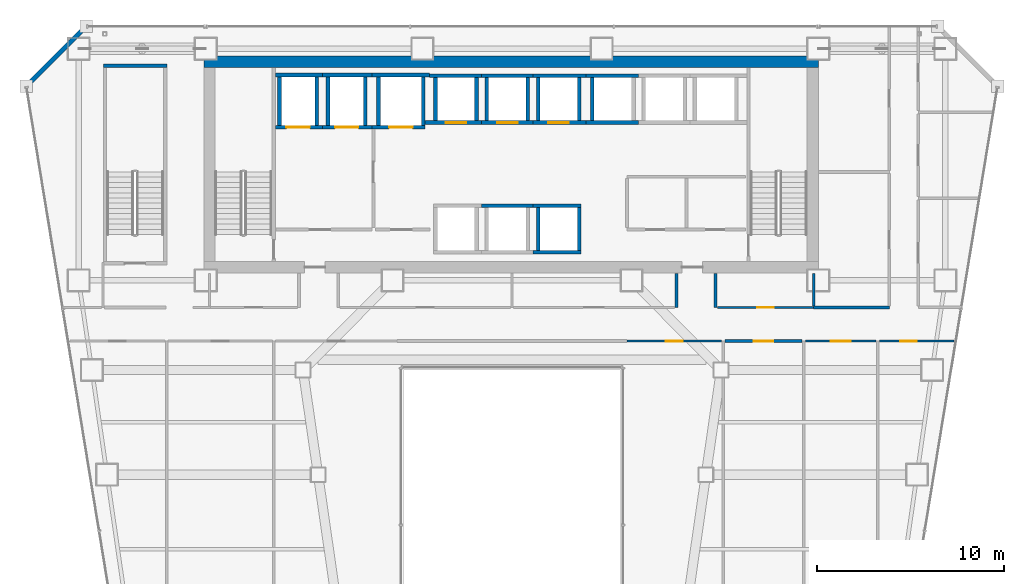
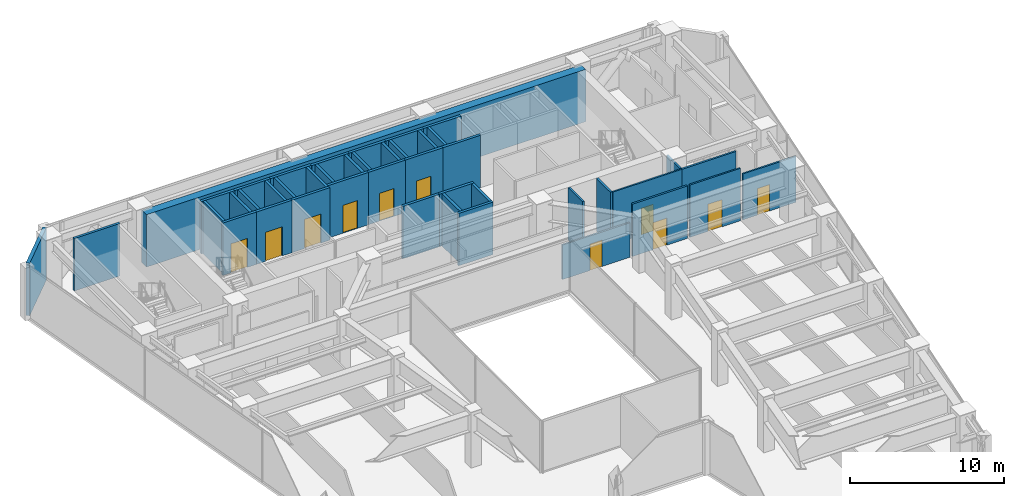
# One storey, part 36 of 40: 44 walls, 11 doors, 11 openings.
"""IFC4 building model written with IfcOpenShell, lengths in metres."""

from ifc_helpers import new_model, si_unit, direction, frame, frame_2d, origin, place, context, subcontext, project, spatial, rectangle, extrude, material, layer, layer_set, type_object, element, fill, save


model = new_model("IFC4")

# Units and contexts
model_context = context("Model", 3, precision=1e-05, world=origin(), true_north=direction((0.0, 1.0)))
body_context = subcontext(model_context, "Body", "Model", "MODEL_VIEW")
ifc_project = project(units=[si_unit("LENGTHUNIT", "METRE"), si_unit("AREAUNIT", "SQUARE_METRE"), si_unit("VOLUMEUNIT", "CUBIC_METRE"), si_unit("PLANEANGLEUNIT", "RADIAN"), si_unit("MASSUNIT", "GRAM", prefix="KILO")], contexts=[model_context])

# Site, building, storey
site_placement = place(None, origin())
site = spatial("IfcSite", under=ifc_project, at=site_placement, CompositionType="ELEMENT")
building_placement = place(site_placement, origin())
building = spatial("IfcBuilding", under=site, at=building_placement, Name="Saevonmaru Cultural Tower", CompositionType="ELEMENT")
storey_placement = place(building_placement, frame((0.0, 0.0, 97.199951171875)))
storey = spatial("IfcBuildingStorey", under=building, at=storey_placement, Name="L20", CompositionType="ELEMENT", Elevation=97.199951171875)

# Walls
ifc_material_1 = material(Name="Concrete C60/75", Category="concrete")
ifc_layer_1 = layer(ifc_material_1, 0.60009765625, Name="Concrete C60/75")
ifc_layer_set_1 = layer_set([ifc_layer_1], Name="Concrete C60/75")
wall_type_1 = type_object("IfcWallType", Name="WL-CORE-600", PredefinedType="SHEAR", material=ifc_layer_set_1)
wall_1_placement = place(storey_placement, frame((13.5, 54.10009765625, 0.0), z_axis=(0.0, 0.0, 1.0), x_axis=(1.0, 0.0, 0.0)))
element("IfcWall", 1, at=wall_1_placement, inside=storey, type_object=wall_type_1, Name="L20 Tower RC core shear wall N", PredefinedType="SHEAR", context=body_context, shape_type="SweptSolid", body=[
    extrude(rectangle(XDim=32.89990234375, YDim=0.60009765625, at=frame_2d((16.449951171875, 0.0))), origin(), (0.0, 0.0, 1.0), 4.150146484375),
])
ifc_material_2 = material(Name="Granite-Clad Precast Concrete C40/50", Category="masonry")
ifc_layer_2 = layer(ifc_material_2, 0.260009765625, Name="Granite-Clad Precast Concrete C40/50")
ifc_layer_set_2 = layer_set([ifc_layer_2], Name="Granite-Clad Precast Concrete C40/50")
wall_type_2 = type_object("IfcWallType", Name="WL-EXT-SPANDREL-260", PredefinedType="STANDARD", material=ifc_layer_set_2)
wall_2_placement = place(storey_placement, frame((7.0869140625, 55.886962890625, 0.0), z_axis=(0.0, 0.0, 1.0), x_axis=(-0.707106781187, -0.707106781187, 0.0)))
element("IfcWall", 2, at=wall_2_placement, inside=storey, type_object=wall_type_2, Name="L20 Chamfer Corner Spandrel Wall E11", PredefinedType="STANDARD", context=body_context, shape_type="SweptSolid", body=[
    extrude(rectangle(XDim=4.205810546875, YDim=0.260009765625, at=frame_2d((2.10302734375, 0.0))), origin(), (0.0, 0.0, 1.0), 4.150146484375),
])
ifc_material_3 = material(Name="Gypsum Fireboard Partition", Category="gypsum")
ifc_layer_3 = layer(ifc_material_3, 0.14990234375, Name="Gypsum Fireboard Partition")
ifc_layer_set_3 = layer_set([ifc_layer_3], Name="Gypsum Fireboard Partition")
wall_type_3 = type_object("IfcWallType", Name="WL-PART-FIRE-150", PredefinedType="PARTITIONING", material=ifc_layer_set_3)
for number, where, z_axis, x_axis, name in (
    (3, (38.800048828125, 40.949951171875, 0.0), (0.0, 0.0, 1.0), (0.0, 1.0, 0.0), "L20 Core Portal Side Wall E1"),
    (4, (40.89990234375, 40.949951171875, 0.0), (0.0, 0.0, 1.0), (0.0, 1.0, 0.0), "L20 Core Portal Side Wall E2"),
):
    element("IfcWall", number, at=place(storey_placement, frame(where, z_axis=z_axis, x_axis=x_axis)), inside=storey, type_object=wall_type_3, Name=name, PredefinedType="PARTITIONING", context=body_context, shape_type="SweptSolid", body=[
        extrude(rectangle(XDim=1.830078125, YDim=0.14990234375, at=frame_2d((0.9150390625, 0.0))), origin(), (0.0, 0.0, 1.0), 4.150146484375),
    ])

# Wall, opening, door
wall_3_placement = place(storey_placement, frame((41.3974609375, 39.14990234375, 0.0), z_axis=(0.0, 0.0, 1.0), x_axis=(1.0, 0.0, 0.0)))
wall_3 = element("IfcWall", 5, at=wall_3_placement, inside=storey, type_object=wall_type_3, Name="L20 East Asian Ceramics Gallery Corridor Wall", PredefinedType="PARTITIONING", context=body_context, shape_type="SweptSolid", body=[
    extrude(rectangle(XDim=4.135009765625, YDim=0.14990234375, at=frame_2d((2.0673828125, 0.0))), origin(), (0.0, 0.0, 1.0), 4.150146484375),
])
opening_1_placement = place(wall_3_placement, frame((1.5419921875, 0.0, 0.0)))
opening_1 = element("IfcOpeningElement", 6, at=opening_1_placement, cuts=wall_3, Name="Opening ID-1", PredefinedType="OPENING", context=body_context, shape_type="SweptSolid", body=[
    extrude(rectangle(XDim=1.050048828125, YDim=2.14990234375, at=frame_2d((0.52490234375, 1.074951171875))), frame((0.0, 0.0849609375, 0.0), z_axis=(0.0, -1.0, 0.0), x_axis=(1.0, 0.0, 0.0)), (0.0, 0.0, 1.0), 0.169921875),
])
ifc_material_4 = material(Name="Satin Bronze Anodised Aluminium", Category="aluminium")
door_type_1 = type_object("IfcDoorType", Name="DR-INT-1050", OperationType="SINGLE_SWING_LEFT", PredefinedType="DOOR", material=ifc_material_4)
door_1_placement = place(opening_1_placement, origin())
door_1 = element("IfcDoor", 7, at=door_1_placement, inside=storey, type_object=door_type_1, Name="L20 East Asian Ceramics Gallery Door", OperationType="SINGLE_SWING_LEFT", OverallHeight=2.14990234375, OverallWidth=1.050048828125, PredefinedType="DOOR", context=body_context, shape_type="SweptSolid", body=[
    extrude(rectangle(XDim=1.050048828125, YDim=2.14990234375, at=frame_2d((0.52490234375, 1.074951171875))), frame((0.0, 0.02490234375, 0.0), z_axis=(0.0, -1.0, 0.0), x_axis=(1.0, 0.0, 0.0)), (0.0, 0.0, 1.0), 0.050048828125),
])
fill(opening_1, door_1)

ifc_layer_4 = layer(ifc_material_3, 0.1201171875, Name="Gypsum Fireboard Partition")
ifc_layer_set_4 = layer_set([ifc_layer_4], Name="Gypsum Fireboard Partition")
wall_type_4 = type_object("IfcWallType", Name="WL-PART-GYP-120", PredefinedType="PARTITIONING", material=ifc_layer_set_4)
wall_4_placement = place(storey_placement, frame((40.9951171875, 40.949951171875, 0.0), z_axis=(0.0, 0.0, 1.0), x_axis=(1.0, 0.0, 0.0)))
wall_4 = element("IfcWall", 8, at=wall_4_placement, inside=storey, type_object=wall_type_4, Name="L20 Literature Seminar Meeting Room Corridor Wall", PredefinedType="PARTITIONING", context=body_context, shape_type="SweptSolid", body=[
    extrude(rectangle(XDim=5.15478515625, YDim=0.1201171875, at=frame_2d((2.577392578125, 0.0))), origin(), (0.0, 0.0, 1.0), 4.150146484375),
])
opening_2_placement = place(wall_4_placement, frame((2.1279296875, 0.0, 0.0)))
opening_2 = element("IfcOpeningElement", 9, at=opening_2_placement, cuts=wall_4, Name="Opening ID-2", PredefinedType="OPENING", context=body_context, shape_type="SweptSolid", body=[
    extrude(rectangle(XDim=0.89990234375, YDim=2.10009765625, at=frame_2d((0.449951171875, 1.050048828125))), frame((0.0, 0.070068359375, 0.0), z_axis=(0.0, -1.0, 0.0), x_axis=(1.0, 0.0, 0.0)), (0.0, 0.0, 1.0), 0.14013671875),
])
ifc_material_5 = material(Name="Acoustic Stained Oak Timber", Category="wood")
door_type_2 = type_object("IfcDoorType", Name="DR-INT-900", OperationType="SINGLE_SWING_RIGHT", PredefinedType="DOOR", material=ifc_material_5)
door_2_placement = place(opening_2_placement, origin())
door_2 = element("IfcDoor", 10, at=door_2_placement, inside=storey, type_object=door_type_2, Name="L20 Literature Seminar Meeting Room Door", OperationType="SINGLE_SWING_RIGHT", OverallHeight=2.10009765625, OverallWidth=0.89990234375, PredefinedType="DOOR", context=body_context, shape_type="SweptSolid", body=[
    extrude(rectangle(XDim=0.89990234375, YDim=2.10009765625, at=frame_2d((0.449951171875, 1.050048828125))), frame((0.0, 0.02490234375, 0.0), z_axis=(0.0, -1.0, 0.0), x_axis=(1.0, 0.0, 0.0)), (0.0, 0.0, 1.0), 0.050048828125),
])
fill(opening_2, door_2)

wall_5_placement = place(storey_placement, frame((36.14990234375, 39.14990234375, 0.0), z_axis=(0.0, 0.0, 1.0), x_axis=(1.0, 0.0, 0.0)))
wall_5 = element("IfcWall", 11, at=wall_5_placement, inside=storey, type_object=wall_type_4, Name="L20 Literature Seminar Meeting Room Corridor Wall", PredefinedType="PARTITIONING", context=body_context, shape_type="SweptSolid", body=[
    extrude(rectangle(XDim=5.072509765625, YDim=0.1201171875, at=frame_2d((2.5361328125, 0.0))), origin(), (0.0, 0.0, 1.0), 2.735107421875),
])
opening_3_placement = place(wall_5_placement, frame((2.0859375, 0.0, 0.0)))
opening_3 = element("IfcOpeningElement", 12, at=opening_3_placement, cuts=wall_5, Name="Opening ID-2", PredefinedType="OPENING", context=body_context, shape_type="SweptSolid", body=[
    extrude(rectangle(XDim=0.89990234375, YDim=2.10009765625, at=frame_2d((0.449951171875, 1.050048828125))), frame((0.0, 0.070068359375, 0.0), z_axis=(0.0, -1.0, 0.0), x_axis=(1.0, 0.0, 0.0)), (0.0, 0.0, 1.0), 0.14013671875),
])
door_3_placement = place(opening_3_placement, origin())
door_3 = element("IfcDoor", 13, at=door_3_placement, inside=storey, type_object=door_type_2, Name="L20 Literature Seminar Meeting Room Door", OperationType="SINGLE_SWING_RIGHT", OverallHeight=2.10009765625, OverallWidth=0.89990234375, PredefinedType="DOOR", context=body_context, shape_type="SweptSolid", body=[
    extrude(rectangle(XDim=0.89990234375, YDim=2.10009765625, at=frame_2d((0.449951171875, 1.050048828125))), frame((0.0, 0.02490234375, 0.0), z_axis=(0.0, -1.0, 0.0), x_axis=(1.0, 0.0, 0.0)), (0.0, 0.0, 1.0), 0.050048828125),
])
fill(opening_3, door_3)

wall_6_placement = place(storey_placement, frame((45.70751953125, 39.14990234375, 0.0), z_axis=(0.0, 0.0, 1.0), x_axis=(1.0, 0.0, 0.0)))
wall_6 = element("IfcWall", 14, at=wall_6_placement, inside=storey, type_object=wall_type_4, Name="L20 Rare Folio Reading Room Corridor Wall", PredefinedType="PARTITIONING", context=body_context, shape_type="SweptSolid", body=[
    extrude(rectangle(XDim=3.784912109375, YDim=0.1201171875, at=frame_2d((1.892578125, 0.0))), origin(), (0.0, 0.0, 1.0), 4.150146484375),
])
opening_4_placement = place(wall_6_placement, frame((1.366943359375, 0.0, 0.0)))
opening_4 = element("IfcOpeningElement", 15, at=opening_4_placement, cuts=wall_6, Name="Opening ID-1", PredefinedType="OPENING", context=body_context, shape_type="SweptSolid", body=[
    extrude(rectangle(XDim=1.050048828125, YDim=2.14990234375, at=frame_2d((0.52490234375, 1.074951171875))), frame((0.0, 0.070068359375, 0.0), z_axis=(0.0, -1.0, 0.0), x_axis=(1.0, 0.0, 0.0)), (0.0, 0.0, 1.0), 0.14013671875),
])
door_4_placement = place(opening_4_placement, origin())
door_4 = element("IfcDoor", 16, at=door_4_placement, inside=storey, type_object=door_type_1, Name="L20 Rare Folio Reading Room Door", OperationType="SINGLE_SWING_RIGHT", OverallHeight=2.14990234375, OverallWidth=1.050048828125, PredefinedType="DOOR", context=body_context, shape_type="SweptSolid", body=[
    extrude(rectangle(XDim=1.050048828125, YDim=2.14990234375, at=frame_2d((0.52490234375, 1.074951171875))), frame((0.0, 0.02490234375, 0.0), z_axis=(0.0, -1.0, 0.0), x_axis=(1.0, 0.0, 0.0)), (0.0, 0.0, 1.0), 0.050048828125),
])
fill(opening_4, door_4)

wall_7_placement = place(storey_placement, frame((49.66748046875, 39.14990234375, 0.0), z_axis=(0.0, 0.0, 1.0), x_axis=(1.0, 0.0, 0.0)))
wall_7 = element("IfcWall", 17, at=wall_7_placement, inside=storey, type_object=wall_type_4, Name="L20 Translation Research Office Corridor Wall", PredefinedType="PARTITIONING", context=body_context, shape_type="SweptSolid", body=[
    extrude(rectangle(XDim=3.99853515625, YDim=0.1201171875, at=frame_2d((1.999267578125, 0.0))), origin(), (0.0, 0.0, 1.0), 3.635009765625),
])
opening_5_placement = place(wall_7_placement, frame((1.10888671875, 0.0, 0.0)))
opening_5 = element("IfcOpeningElement", 18, at=opening_5_placement, cuts=wall_7, Name="Opening ID-2", PredefinedType="OPENING", context=body_context, shape_type="SweptSolid", body=[
    extrude(rectangle(XDim=0.89990234375, YDim=2.10009765625, at=frame_2d((0.449951171875, 1.050048828125))), frame((0.0, 0.070068359375, 0.0), z_axis=(0.0, -1.0, 0.0), x_axis=(1.0, 0.0, 0.0)), (0.0, 0.0, 1.0), 0.14013671875),
])
door_5_placement = place(opening_5_placement, origin())
door_5 = element("IfcDoor", 19, at=door_5_placement, inside=storey, type_object=door_type_2, Name="L20 Translation Research Office Door", OperationType="SINGLE_SWING_LEFT", OverallHeight=2.10009765625, OverallWidth=0.89990234375, PredefinedType="DOOR", context=body_context, shape_type="SweptSolid", body=[
    extrude(rectangle(XDim=0.89990234375, YDim=2.10009765625, at=frame_2d((0.449951171875, 1.050048828125))), frame((0.0, 0.02490234375, 0.0), z_axis=(0.0, -1.0, 0.0), x_axis=(1.0, 0.0, 0.0)), (0.0, 0.0, 1.0), 0.050048828125),
])
fill(opening_5, door_5)

# Walls
ifc_layer_5 = layer(ifc_material_3, 0.139892578125, Name="Gypsum Fireboard Partition")
ifc_layer_set_5 = layer_set([ifc_layer_5], Name="Gypsum Fireboard Partition")
wall_type_5 = type_object("IfcWallType", Name="WL-PART-WET-140", PredefinedType="PARTITIONING", material=ifc_layer_set_5)
wall_8_placement = place(storey_placement, frame((46.14990234375, 40.949951171875, 0.0), z_axis=(0.0, 0.0, 1.0), x_axis=(1.0, 0.0, 0.0)))
element("IfcWall", 20, at=wall_8_placement, inside=storey, type_object=wall_type_5, Name="L20 Washroom South Wall", PredefinedType="PARTITIONING", context=body_context, shape_type="SweptSolid", body=[
    extrude(rectangle(XDim=4.050048828125, YDim=0.139892578125, at=frame_2d((2.02490234375, 0.0))), origin(), (0.0, 0.0, 1.0), 4.150146484375),
])
wall_9_placement = place(storey_placement, frame((46.14990234375, 41.0400390625, 0.0), z_axis=(0.0, 0.0, 1.0), x_axis=(0.0, 1.0, 0.0)))
element("IfcWall", 21, at=wall_9_placement, inside=storey, type_object=wall_type_5, Name="L20 Washroom South-West Return", PredefinedType="PARTITIONING", context=body_context, shape_type="SweptSolid", body=[
    extrude(rectangle(XDim=1.739990234375, YDim=0.139892578125, at=frame_2d((0.8701171875, 0.0))), origin(), (0.0, 0.0, 1.0), 4.150146484375),
])

# Wall, opening, door
ifc_material_6 = material(Name="Concrete C40/50", Category="concrete")
ifc_layer_6 = layer(ifc_material_6, 0.199951171875, Name="Concrete C40/50")
ifc_layer_set_6 = layer_set([ifc_layer_6], Name="Concrete C40/50")
wall_type_6 = type_object("IfcWallType", Name="WL-SHAFT-200", PredefinedType="SHEAR", material=ifc_layer_set_6)
wall_10_placement = place(storey_placement, frame((17.330078125, 50.60009765625, 0.0), z_axis=(0.0, 0.0, 1.0), x_axis=(1.0, 0.0, 0.0)))
wall_10 = element("IfcWall", 22, at=wall_10_placement, inside=storey, type_object=wall_type_6, Name="L20 Lift FFL-1 Hoistway Wall S", PredefinedType="SHEAR", context=body_context, shape_type="SweptSolid", body=[
    extrude(rectangle(XDim=2.52001953125, YDim=0.199951171875, at=frame_2d((1.260009765625, 0.0))), origin(), (0.0, 0.0, 1.0), 4.150146484375),
])
opening_6_placement = place(wall_10_placement, frame((0.594970703125, 0.0, 0.0)))
opening_6 = element("IfcOpeningElement", 23, at=opening_6_placement, cuts=wall_10, Name="Opening LD-2", PredefinedType="OPENING", context=body_context, shape_type="SweptSolid", body=[
    extrude(rectangle(XDim=1.25, YDim=2.300048828125, at=frame_2d((0.625, 1.14990234375))), frame((0.0, 0.10986328125, 0.0), z_axis=(0.0, -1.0, 0.0), x_axis=(1.0, 0.0, 0.0)), (0.0, 0.0, 1.0), 0.219970703125),
])
ifc_material_7 = material(Name="Stainless Steel 316", Category="steel")
door_type_3 = type_object("IfcDoorType", Name="DR-LIFT-1250", OperationType="SLIDING_TO_LEFT", PredefinedType="DOOR", material=ifc_material_7)
door_6_placement = place(opening_6_placement, origin())
door_6 = element("IfcDoor", 24, at=door_6_placement, inside=storey, type_object=door_type_3, Name="L20 Lift FFL-1 Sliding Landing Door", OperationType="SLIDING_TO_LEFT", OverallHeight=2.300048828125, OverallWidth=1.25, PredefinedType="DOOR", context=body_context, shape_type="SweptSolid", body=[
    extrude(rectangle(XDim=1.25, YDim=2.300048828125, at=frame_2d((0.625, 1.14990234375))), frame((0.0, 0.02490234375, 0.0), z_axis=(0.0, -1.0, 0.0), x_axis=(1.0, 0.0, 0.0)), (0.0, 0.0, 1.0), 0.050048828125),
])
fill(opening_6, door_6)

# Walls
wall_11_placement = place(storey_placement, frame((17.330078125, 53.39990234375, 0.0), z_axis=(0.0, 0.0, 1.0), x_axis=(1.0, 0.0, 0.0)))
element("IfcWall", 25, at=wall_11_placement, inside=storey, type_object=wall_type_6, Name="L20 Lift FFL-1 Hoistway Wall N", PredefinedType="SHEAR", context=body_context, shape_type="SweptSolid", body=[
    extrude(rectangle(XDim=2.52001953125, YDim=0.199951171875, at=frame_2d((1.260009765625, 0.0))), origin(), (0.0, 0.0, 1.0), 4.150146484375),
])
for number, where, z_axis, x_axis, name in (
    (26, (17.550048828125, 50.699951171875, 0.0), (0.0, 0.0, 1.0), (0.0, 1.0, 0.0), "L20 Lift FFL-1 Hoistway Wall W"),
    (27, (19.550048828125, 50.699951171875, 0.0), (0.0, 0.0, 1.0), (0.0, 1.0, 0.0), "L20 Lift FFL-1 Hoistway Wall E"),
):
    element("IfcWall", number, at=place(storey_placement, frame(where, z_axis=z_axis, x_axis=x_axis)), inside=storey, type_object=wall_type_6, Name=name, PredefinedType="SHEAR", context=body_context, shape_type="SweptSolid", body=[
        extrude(rectangle(XDim=2.60009765625, YDim=0.199951171875, at=frame_2d((1.300048828125, 0.0))), origin(), (0.0, 0.0, 1.0), 4.150146484375),
    ])

# Wall, opening, door
wall_12_placement = place(storey_placement, frame((19.85009765625, 50.60009765625, 0.0), z_axis=(0.0, 0.0, 1.0), x_axis=(1.0, 0.0, 0.0)))
wall_12 = element("IfcWall", 28, at=wall_12_placement, inside=storey, type_object=wall_type_6, Name="L20 Lift FFL-2 Hoistway Wall S", PredefinedType="SHEAR", context=body_context, shape_type="SweptSolid", body=[
    extrude(rectangle(XDim=2.64990234375, YDim=0.199951171875, at=frame_2d((1.324951171875, 0.0))), origin(), (0.0, 0.0, 1.0), 4.150146484375),
])
opening_7_placement = place(wall_12_placement, frame((0.675048828125, 0.0, 0.0)))
opening_7 = element("IfcOpeningElement", 29, at=opening_7_placement, cuts=wall_12, Name="Opening LD-2", PredefinedType="OPENING", context=body_context, shape_type="SweptSolid", body=[
    extrude(rectangle(XDim=1.25, YDim=2.300048828125, at=frame_2d((0.625, 1.14990234375))), frame((0.0, 0.10986328125, 0.0), z_axis=(0.0, -1.0, 0.0), x_axis=(1.0, 0.0, 0.0)), (0.0, 0.0, 1.0), 0.219970703125),
])
door_7_placement = place(opening_7_placement, origin())
door_7 = element("IfcDoor", 30, at=door_7_placement, inside=storey, type_object=door_type_3, Name="L20 Lift FFL-2 Sliding Landing Door", OperationType="SLIDING_TO_LEFT", OverallHeight=2.300048828125, OverallWidth=1.25, PredefinedType="DOOR", context=body_context, shape_type="SweptSolid", body=[
    extrude(rectangle(XDim=1.25, YDim=2.300048828125, at=frame_2d((0.625, 1.14990234375))), frame((0.0, 0.02490234375, 0.0), z_axis=(0.0, -1.0, 0.0), x_axis=(1.0, 0.0, 0.0)), (0.0, 0.0, 1.0), 0.050048828125),
])
fill(opening_7, door_7)

# Walls
wall_13_placement = place(storey_placement, frame((19.85009765625, 53.39990234375, 0.0), z_axis=(0.0, 0.0, 1.0), x_axis=(1.0, 0.0, 0.0)))
element("IfcWall", 31, at=wall_13_placement, inside=storey, type_object=wall_type_6, Name="L20 Lift FFL-2 Hoistway Wall N", PredefinedType="SHEAR", context=body_context, shape_type="SweptSolid", body=[
    extrude(rectangle(XDim=2.64990234375, YDim=0.199951171875, at=frame_2d((1.324951171875, 0.0))), origin(), (0.0, 0.0, 1.0), 4.150146484375),
])
for number, where, z_axis, x_axis, name in (
    (32, (20.14990234375, 50.699951171875, 0.0), (0.0, 0.0, 1.0), (0.0, 1.0, 0.0), "L20 Lift FFL-2 Hoistway Wall W"),
    (33, (22.14990234375, 50.699951171875, 0.0), (0.0, 0.0, 1.0), (0.0, 1.0, 0.0), "L20 Lift FFL-2 Hoistway Wall E"),
):
    element("IfcWall", number, at=place(storey_placement, frame(where, z_axis=z_axis, x_axis=x_axis)), inside=storey, type_object=wall_type_6, Name=name, PredefinedType="SHEAR", context=body_context, shape_type="SweptSolid", body=[
        extrude(rectangle(XDim=2.60009765625, YDim=0.199951171875, at=frame_2d((1.300048828125, 0.0))), origin(), (0.0, 0.0, 1.0), 4.150146484375),
    ])

# Wall, opening, door
wall_14_placement = place(storey_placement, frame((22.5, 50.60009765625, 0.0), z_axis=(0.0, 0.0, 1.0), x_axis=(1.0, 0.0, 0.0)))
wall_14 = element("IfcWall", 34, at=wall_14_placement, inside=storey, type_object=wall_type_6, Name="L20 Lift GL-1 Hoistway Wall S", PredefinedType="SHEAR", context=body_context, shape_type="SweptSolid", body=[
    extrude(rectangle(XDim=2.85009765625, YDim=0.199951171875, at=frame_2d((1.425048828125, 0.0))), origin(), (0.0, 0.0, 1.0), 4.150146484375),
])
opening_8_placement = place(wall_14_placement, frame((0.925048828125, 0.0, 0.0)))
opening_8 = element("IfcOpeningElement", 35, at=opening_8_placement, cuts=wall_14, Name="Opening LD-2", PredefinedType="OPENING", context=body_context, shape_type="SweptSolid", body=[
    extrude(rectangle(XDim=1.25, YDim=2.300048828125, at=frame_2d((0.625, 1.14990234375))), frame((0.0, 0.10986328125, 0.0), z_axis=(0.0, -1.0, 0.0), x_axis=(1.0, 0.0, 0.0)), (0.0, 0.0, 1.0), 0.219970703125),
])
door_8_placement = place(opening_8_placement, origin())
door_8 = element("IfcDoor", 36, at=door_8_placement, inside=storey, type_object=door_type_3, Name="L20 Lift GL-1 Sliding Landing Door", OperationType="SLIDING_TO_LEFT", OverallHeight=2.300048828125, OverallWidth=1.25, PredefinedType="DOOR", context=body_context, shape_type="SweptSolid", body=[
    extrude(rectangle(XDim=1.25, YDim=2.300048828125, at=frame_2d((0.625, 1.14990234375))), frame((0.0, 0.02490234375, 0.0), z_axis=(0.0, -1.0, 0.0), x_axis=(1.0, 0.0, 0.0)), (0.0, 0.0, 1.0), 0.050048828125),
])
fill(opening_8, door_8)

# Walls
wall_15_placement = place(storey_placement, frame((22.5, 53.39990234375, 0.0), z_axis=(0.0, 0.0, 1.0), x_axis=(1.0, 0.0, 0.0)))
element("IfcWall", 37, at=wall_15_placement, inside=storey, type_object=wall_type_6, Name="L20 Lift GL-1 Hoistway Wall N", PredefinedType="SHEAR", context=body_context, shape_type="SweptSolid", body=[
    extrude(rectangle(XDim=3.074951171875, YDim=0.199951171875, at=frame_2d((1.53759765625, 0.0))), origin(), (0.0, 0.0, 1.0), 4.150146484375),
])
for number, where, z_axis, x_axis, name in (
    (38, (22.85009765625, 50.699951171875, 0.0), (0.0, 0.0, 1.0), (0.0, 1.0, 0.0), "L20 Lift GL-1 Hoistway Wall W"),
    (39, (25.25, 50.699951171875, 0.0), (0.0, 0.0, 1.0), (0.0, 1.0, 0.0), "L20 Lift GL-1 Hoistway Wall E"),
):
    element("IfcWall", number, at=place(storey_placement, frame(where, z_axis=z_axis, x_axis=x_axis)), inside=storey, type_object=wall_type_6, Name=name, PredefinedType="SHEAR", context=body_context, shape_type="SweptSolid", body=[
        extrude(rectangle(XDim=2.60009765625, YDim=0.199951171875, at=frame_2d((1.300048828125, 0.0))), origin(), (0.0, 0.0, 1.0), 4.150146484375),
    ])

# Wall, opening, door
wall_16_placement = place(storey_placement, frame((25.35009765625, 50.85009765625, 0.0), z_axis=(0.0, 0.0, 1.0), x_axis=(1.0, 0.0, 0.0)))
wall_16 = element("IfcWall", 40, at=wall_16_placement, inside=storey, type_object=wall_type_6, Name="L20 Lift PL-L1 Hoistway Wall S", PredefinedType="SHEAR", context=body_context, shape_type="SweptSolid", body=[
    extrude(rectangle(XDim=3.02490234375, YDim=0.199951171875, at=frame_2d((1.512451171875, 0.0))), origin(), (0.0, 0.0, 1.0), 4.150146484375),
])
opening_9_placement = place(wall_16_placement, frame((1.10009765625, 0.0, 0.0)))
opening_9 = element("IfcOpeningElement", 41, at=opening_9_placement, cuts=wall_16, Name="Opening LD-1", PredefinedType="OPENING", context=body_context, shape_type="SweptSolid", body=[
    extrude(rectangle(XDim=1.10009765625, YDim=2.199951171875, at=frame_2d((0.550048828125, 1.10009765625))), frame((0.0, 0.10986328125, 0.0), z_axis=(0.0, -1.0, 0.0), x_axis=(1.0, 0.0, 0.0)), (0.0, 0.0, 1.0), 0.219970703125),
])
ifc_material_8 = material(Name="Satin Bronze Stainless Steel", Category="steel")
door_type_4 = type_object("IfcDoorType", Name="DR-LIFT-1100", OperationType="SLIDING_TO_LEFT", PredefinedType="DOOR", material=ifc_material_8)
door_9_placement = place(opening_9_placement, origin())
door_9 = element("IfcDoor", 42, at=door_9_placement, inside=storey, type_object=door_type_4, Name="L20 Lift PL-L1 Sliding Landing Door", OperationType="SLIDING_TO_LEFT", OverallHeight=2.199951171875, OverallWidth=1.10009765625, PredefinedType="DOOR", context=body_context, shape_type="SweptSolid", body=[
    extrude(rectangle(XDim=1.10009765625, YDim=2.199951171875, at=frame_2d((0.550048828125, 1.10009765625))), frame((0.0, 0.02490234375, 0.0), z_axis=(0.0, -1.0, 0.0), x_axis=(1.0, 0.0, 0.0)), (0.0, 0.0, 1.0), 0.050048828125),
])
fill(opening_9, door_9)

# Walls
wall_17_placement = place(storey_placement, frame((25.574951171875, 53.35009765625, 0.0), z_axis=(0.0, 0.0, 1.0), x_axis=(1.0, 0.0, 0.0)))
element("IfcWall", 43, at=wall_17_placement, inside=storey, type_object=wall_type_6, Name="L20 Lift PL-L1 Hoistway Wall N", PredefinedType="SHEAR", context=body_context, shape_type="SweptSolid", body=[
    extrude(rectangle(XDim=2.800048828125, YDim=0.199951171875, at=frame_2d((1.39990234375, 0.0))), origin(), (0.0, 0.0, 1.0), 4.150146484375),
])
for number, where, z_axis, x_axis, name in (
    (44, (25.89990234375, 50.949951171875, 0.0), (0.0, 0.0, 1.0), (0.0, 1.0, 0.0), "L20 Lift PL-L1 Hoistway Wall W"),
    (45, (28.10009765625, 50.949951171875, 0.0), (0.0, 0.0, 1.0), (0.0, 1.0, 0.0), "L20 Lift PL-L1 Hoistway Wall E"),
):
    element("IfcWall", number, at=place(storey_placement, frame(where, z_axis=z_axis, x_axis=x_axis)), inside=storey, type_object=wall_type_6, Name=name, PredefinedType="SHEAR", context=body_context, shape_type="SweptSolid", body=[
        extrude(rectangle(XDim=2.300048828125, YDim=0.199951171875, at=frame_2d((1.14990234375, 0.0))), origin(), (0.0, 0.0, 1.0), 4.150146484375),
    ])

# Wall, opening, door
wall_18_placement = place(storey_placement, frame((28.375, 50.85009765625, 0.0), z_axis=(0.0, 0.0, 1.0), x_axis=(1.0, 0.0, 0.0)))
wall_18 = element("IfcWall", 46, at=wall_18_placement, inside=storey, type_object=wall_type_6, Name="L20 Lift PL-L2 Hoistway Wall S", PredefinedType="SHEAR", context=body_context, shape_type="SweptSolid", body=[
    extrude(rectangle(XDim=2.75, YDim=0.199951171875, at=frame_2d((1.375, 0.0))), origin(), (0.0, 0.0, 1.0), 4.150146484375),
])
opening_10_placement = place(wall_18_placement, frame((0.824951171875, 0.0, 0.0)))
opening_10 = element("IfcOpeningElement", 47, at=opening_10_placement, cuts=wall_18, Name="Opening LD-1", PredefinedType="OPENING", context=body_context, shape_type="SweptSolid", body=[
    extrude(rectangle(XDim=1.10009765625, YDim=2.199951171875, at=frame_2d((0.550048828125, 1.10009765625))), frame((0.0, 0.10986328125, 0.0), z_axis=(0.0, -1.0, 0.0), x_axis=(1.0, 0.0, 0.0)), (0.0, 0.0, 1.0), 0.219970703125),
])
door_10_placement = place(opening_10_placement, origin())
door_10 = element("IfcDoor", 48, at=door_10_placement, inside=storey, type_object=door_type_4, Name="L20 Lift PL-L2 Sliding Landing Door", OperationType="SLIDING_TO_LEFT", OverallHeight=2.199951171875, OverallWidth=1.10009765625, PredefinedType="DOOR", context=body_context, shape_type="SweptSolid", body=[
    extrude(rectangle(XDim=1.10009765625, YDim=2.199951171875, at=frame_2d((0.550048828125, 1.10009765625))), frame((0.0, 0.02490234375, 0.0), z_axis=(0.0, -1.0, 0.0), x_axis=(1.0, 0.0, 0.0)), (0.0, 0.0, 1.0), 0.050048828125),
])
fill(opening_10, door_10)

# Walls
wall_19_placement = place(storey_placement, frame((28.375, 53.35009765625, 0.0), z_axis=(0.0, 0.0, 1.0), x_axis=(1.0, 0.0, 0.0)))
element("IfcWall", 49, at=wall_19_placement, inside=storey, type_object=wall_type_6, Name="L20 Lift PL-L2 Hoistway Wall N", PredefinedType="SHEAR", context=body_context, shape_type="SweptSolid", body=[
    extrude(rectangle(XDim=2.75, YDim=0.199951171875, at=frame_2d((1.375, 0.0))), origin(), (0.0, 0.0, 1.0), 4.150146484375),
])
for number, where, z_axis, x_axis, name in (
    (50, (28.64990234375, 50.949951171875, 0.0), (0.0, 0.0, 1.0), (0.0, 1.0, 0.0), "L20 Lift PL-L2 Hoistway Wall W"),
    (51, (30.85009765625, 50.949951171875, 0.0), (0.0, 0.0, 1.0), (0.0, 1.0, 0.0), "L20 Lift PL-L2 Hoistway Wall E"),
):
    element("IfcWall", number, at=place(storey_placement, frame(where, z_axis=z_axis, x_axis=x_axis)), inside=storey, type_object=wall_type_6, Name=name, PredefinedType="SHEAR", context=body_context, shape_type="SweptSolid", body=[
        extrude(rectangle(XDim=2.300048828125, YDim=0.199951171875, at=frame_2d((1.14990234375, 0.0))), origin(), (0.0, 0.0, 1.0), 4.150146484375),
    ])

# Wall, opening, door
wall_20_placement = place(storey_placement, frame((31.125, 50.85009765625, 0.0), z_axis=(0.0, 0.0, 1.0), x_axis=(1.0, 0.0, 0.0)))
wall_20 = element("IfcWall", 52, at=wall_20_placement, inside=storey, type_object=wall_type_6, Name="L20 Lift PL-L3 Hoistway Wall S", PredefinedType="SHEAR", context=body_context, shape_type="SweptSolid", body=[
    extrude(rectangle(XDim=2.824951171875, YDim=0.199951171875, at=frame_2d((1.41259765625, 0.0))), origin(), (0.0, 0.0, 1.0), 4.150146484375),
])
opening_11_placement = place(wall_20_placement, frame((0.824951171875, 0.0, 0.0)))
opening_11 = element("IfcOpeningElement", 53, at=opening_11_placement, cuts=wall_20, Name="Opening LD-1", PredefinedType="OPENING", context=body_context, shape_type="SweptSolid", body=[
    extrude(rectangle(XDim=1.10009765625, YDim=2.199951171875, at=frame_2d((0.550048828125, 1.10009765625))), frame((0.0, 0.10986328125, 0.0), z_axis=(0.0, -1.0, 0.0), x_axis=(1.0, 0.0, 0.0)), (0.0, 0.0, 1.0), 0.219970703125),
])
door_11_placement = place(opening_11_placement, origin())
door_11 = element("IfcDoor", 54, at=door_11_placement, inside=storey, type_object=door_type_4, Name="L20 Lift PL-L3 Sliding Landing Door", OperationType="SLIDING_TO_LEFT", OverallHeight=2.199951171875, OverallWidth=1.10009765625, PredefinedType="DOOR", context=body_context, shape_type="SweptSolid", body=[
    extrude(rectangle(XDim=1.10009765625, YDim=2.199951171875, at=frame_2d((0.550048828125, 1.10009765625))), frame((0.0, 0.02490234375, 0.0), z_axis=(0.0, -1.0, 0.0), x_axis=(1.0, 0.0, 0.0)), (0.0, 0.0, 1.0), 0.050048828125),
])
fill(opening_11, door_11)

# Walls
wall_21_placement = place(storey_placement, frame((31.125, 53.35009765625, 0.0), z_axis=(0.0, 0.0, 1.0), x_axis=(1.0, 0.0, 0.0)))
element("IfcWall", 55, at=wall_21_placement, inside=storey, type_object=wall_type_6, Name="L20 Lift PL-L3 Hoistway Wall N", PredefinedType="SHEAR", context=body_context, shape_type="SweptSolid", body=[
    extrude(rectangle(XDim=2.824951171875, YDim=0.199951171875, at=frame_2d((1.41259765625, 0.0))), origin(), (0.0, 0.0, 1.0), 4.150146484375),
])
for number, where, z_axis, x_axis, name in (
    (56, (31.39990234375, 50.949951171875, 0.0), (0.0, 0.0, 1.0), (0.0, 1.0, 0.0), "L20 Lift PL-L3 Hoistway Wall W"),
    (57, (33.60009765625, 50.949951171875, 0.0), (0.0, 0.0, 1.0), (0.0, 1.0, 0.0), "L20 Lift PL-L3 Hoistway Wall E"),
):
    element("IfcWall", number, at=place(storey_placement, frame(where, z_axis=z_axis, x_axis=x_axis)), inside=storey, type_object=wall_type_6, Name=name, PredefinedType="SHEAR", context=body_context, shape_type="SweptSolid", body=[
        extrude(rectangle(XDim=2.300048828125, YDim=0.199951171875, at=frame_2d((1.14990234375, 0.0))), origin(), (0.0, 0.0, 1.0), 4.150146484375),
    ])
wall_22_placement = place(storey_placement, frame((28.375, 46.39990234375, 0.0), z_axis=(0.0, 0.0, 1.0), x_axis=(1.0, 0.0, 0.0)))
element("IfcWall", 58, at=wall_22_placement, inside=storey, type_object=wall_type_6, Name="L20 Lift PL-M2 Hoistway Wall N", PredefinedType="SHEAR", context=body_context, shape_type="SweptSolid", body=[
    extrude(rectangle(XDim=2.75, YDim=0.199951171875, at=frame_2d((1.375, 0.0))), origin(), (0.0, 0.0, 1.0), 4.150146484375),
])
for number, where, z_axis, x_axis, name in (
    (59, (31.125, 43.89990234375, 0.0), (0.0, 0.0, 1.0), (1.0, 0.0, 0.0), "L20 Lift PL-M3 Hoistway Wall S"),
    (60, (31.125, 46.39990234375, 0.0), (0.0, 0.0, 1.0), (1.0, 0.0, 0.0), "L20 Lift PL-M3 Hoistway Wall N"),
):
    element("IfcWall", number, at=place(storey_placement, frame(where, z_axis=z_axis, x_axis=x_axis)), inside=storey, type_object=wall_type_6, Name=name, PredefinedType="SHEAR", context=body_context, shape_type="SweptSolid", body=[
        extrude(rectangle(XDim=2.574951171875, YDim=0.199951171875, at=frame_2d((1.28759765625, 0.0))), origin(), (0.0, 0.0, 1.0), 4.150146484375),
    ])
for number, where, z_axis, x_axis, name in (
    (61, (31.39990234375, 44.0, 0.0), (0.0, 0.0, 1.0), (0.0, 1.0, 0.0), "L20 Lift PL-M3 Hoistway Wall W"),
    (62, (33.60009765625, 44.0, 0.0), (0.0, 0.0, 1.0), (0.0, 1.0, 0.0), "L20 Lift PL-M3 Hoistway Wall E"),
):
    element("IfcWall", number, at=place(storey_placement, frame(where, z_axis=z_axis, x_axis=x_axis)), inside=storey, type_object=wall_type_6, Name=name, PredefinedType="SHEAR", context=body_context, shape_type="SweptSolid", body=[
        extrude(rectangle(XDim=2.300048828125, YDim=0.199951171875, at=frame_2d((1.14990234375, 0.0))), origin(), (0.0, 0.0, 1.0), 4.150146484375),
    ])
for number, where, z_axis, x_axis, name in (
    (63, (33.949951171875, 50.85009765625, 0.0), (0.0, 0.0, 1.0), (1.0, 0.0, 0.0), "L20 Lift PL-H1 Hoistway Wall S"),
    (64, (33.949951171875, 53.35009765625, 0.0), (0.0, 0.0, 1.0), (1.0, 0.0, 0.0), "L20 Lift PL-H1 Hoistway Wall N"),
):
    element("IfcWall", number, at=place(storey_placement, frame(where, z_axis=z_axis, x_axis=x_axis)), inside=storey, type_object=wall_type_6, Name=name, PredefinedType="SHEAR", context=body_context, shape_type="SweptSolid", body=[
        extrude(rectangle(XDim=2.824951171875, YDim=0.199951171875, at=frame_2d((1.41259765625, 0.0))), origin(), (0.0, 0.0, 1.0), 4.150146484375),
    ])
wall_23_placement = place(storey_placement, frame((34.300048828125, 50.949951171875, 0.0), z_axis=(0.0, 0.0, 1.0), x_axis=(0.0, 1.0, 0.0)))
element("IfcWall", 65, at=wall_23_placement, inside=storey, type_object=wall_type_6, Name="L20 Lift PL-H1 Hoistway Wall W", PredefinedType="SHEAR", context=body_context, shape_type="SweptSolid", body=[
    extrude(rectangle(XDim=2.300048828125, YDim=0.199951171875, at=frame_2d((1.14990234375, 0.0))), origin(), (0.0, 0.0, 1.0), 4.150146484375),
])
ifc_layer_7 = layer(ifc_material_6, 0.179931640625, Name="Concrete C40/50")
ifc_layer_set_7 = layer_set([ifc_layer_7], Name="Concrete C40/50")
wall_type_7 = type_object("IfcWallType", Name="WL-STSHAFT-180", PredefinedType="SHEAR", material=ifc_layer_set_7)
wall_24_placement = place(storey_placement, frame((11.530029296875, 53.889892578125, 0.0), z_axis=(0.0, 0.0, 1.0), x_axis=(-1.0, 0.0, 0.0)))
element("IfcWall", 66, at=wall_24_placement, inside=storey, type_object=wall_type_7, Name="L20 Stair ST-3 Structural Shaft Wall 3", PredefinedType="SHEAR", context=body_context, shape_type="SweptSolid", body=[
    extrude(rectangle(XDim=3.409912109375, YDim=0.179931640625, at=frame_2d((1.705078125, 0.0))), origin(), (0.0, 0.0, 1.0), 4.150146484375),
])

save(model, "model.ifc")
